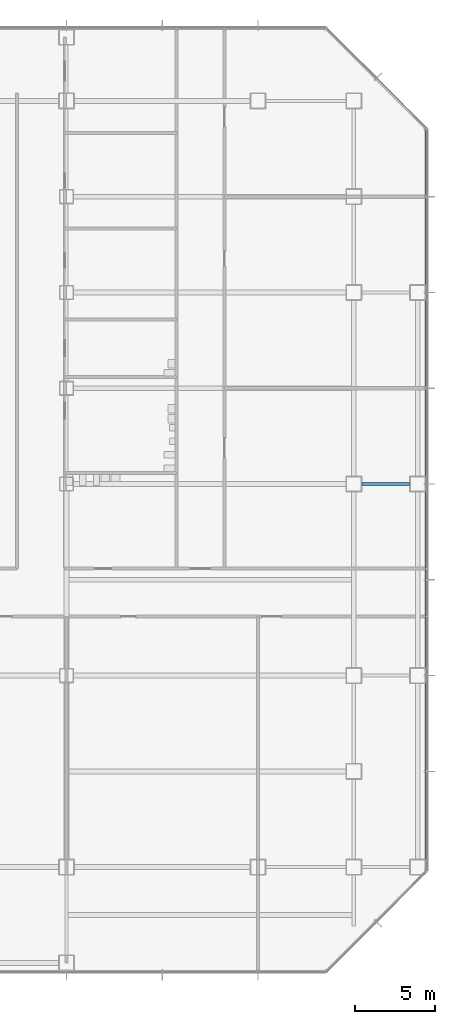
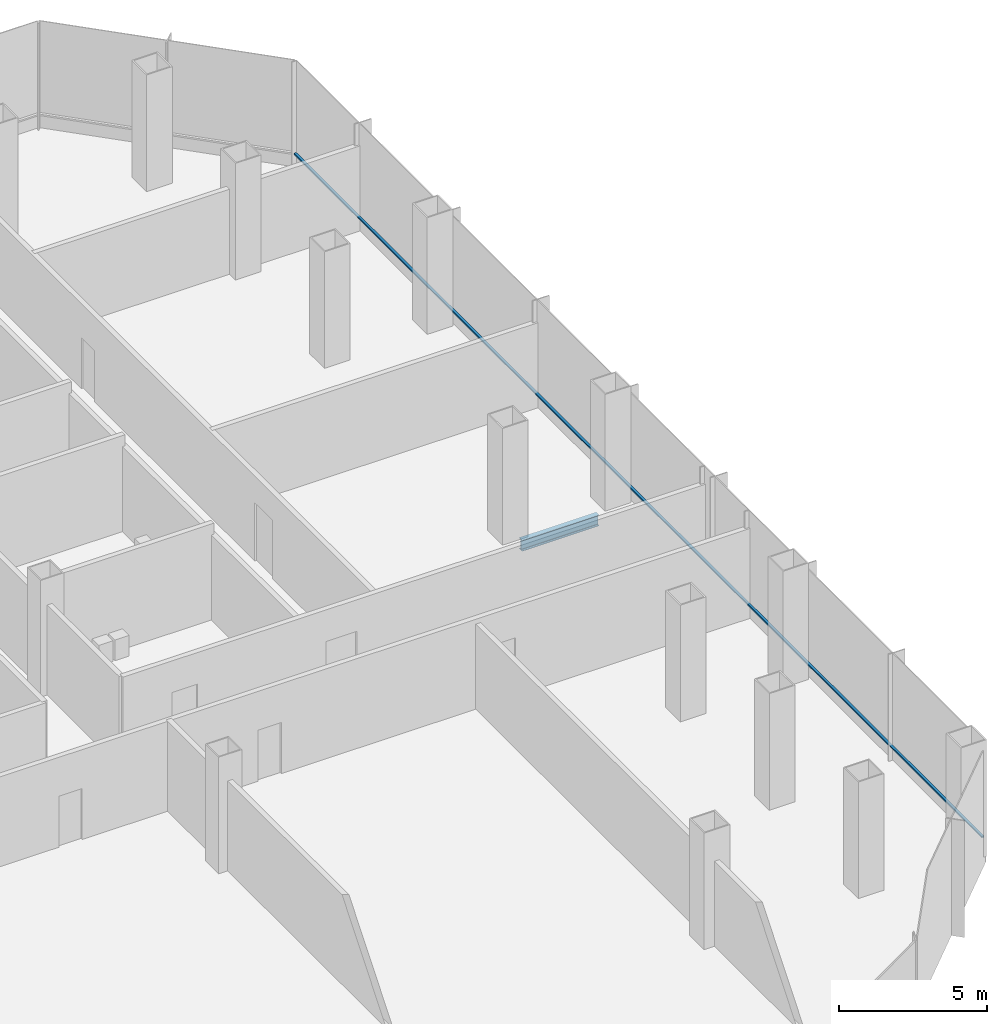
# One storey, part 18 of 33: 1 beam, 1 member, 1 element without a shape of its own.
"""IFC4 building model written with IfcOpenShell, lengths in metres."""

from ifc_helpers import new_model, si_unit, direction, frame, origin, origin_2d, place, context, subcontext, project, spatial, rectangle, i_section, extrude, material, material_profile, profile_set, type_object, element, aggregate, save


model = new_model("IFC4")

# Units and contexts
model_context = context("Model", 3, precision=1e-05, world=origin(), true_north=direction((0.0, 1.0)))
body_context = subcontext(model_context, "Body", "Model", "MODEL_VIEW")
ifc_project = project(units=[si_unit("LENGTHUNIT", "METRE"), si_unit("AREAUNIT", "SQUARE_METRE"), si_unit("VOLUMEUNIT", "CUBIC_METRE"), si_unit("PLANEANGLEUNIT", "RADIAN"), si_unit("MASSUNIT", "GRAM", prefix="KILO")], contexts=[model_context])

# Site, building, storey
site_placement = place(None, origin())
site = spatial("IfcSite", under=ifc_project, at=site_placement, CompositionType="ELEMENT")
building_placement = place(site_placement, origin())
building = spatial("IfcBuilding", under=site, at=building_placement, Name="Sorahane Residences", CompositionType="ELEMENT")
storey_placement = place(building_placement, frame((0.0, 0.0, 34.800048828125)))
storey = spatial("IfcBuildingStorey", under=building, at=storey_placement, Name="L05", CompositionType="ELEMENT", Elevation=34.800048828125)

# Curtain wall, member
ifc_material_1 = material(Name="Dark low-e glass and black anodised aluminium", Category="aluminium")
curtain_wall_type = type_object("IfcCurtainWallType", Name="Curtain wall CW-3 Podium unitised wall", PredefinedType="NOTDEFINED", material=ifc_material_1)
curtain_wall_placement = place(storey_placement, origin())
curtain_wall = element("IfcCurtainWall", 1, at=curtain_wall_placement, inside=storey, type_object=curtain_wall_type, Name="CW-3 curtain wall L05 E1", PredefinedType="NOTDEFINED")
ifc_material_2 = material(Name="Black anodised aluminium", Category="aluminium")
ifc_material_profile_1 = material_profile(ifc_material_2, rectangle(XDim=0.10009765625, YDim=0.06005859375, at=origin_2d()), Name="Curtain wall transom CW-3 black anodised aluminium 60x100")
ifc_profile_set_1 = profile_set([ifc_material_profile_1], Name="Black anodised aluminium")
member_type = type_object("IfcMemberType", Name="Curtain wall transom CW-3 black anodised aluminium 60x100", PredefinedType="USERDEFINED", material=ifc_profile_set_1)
member_placement = place(storey_placement, frame((70.530029296875, -0.198486328125, 0.599853515625), z_axis=(0.0, 1.0, 0.0), x_axis=(-1.0, 0.0, 0.0)))
member = element("IfcMember", 2, at=member_placement, type_object=member_type, Name="CW-3 transom L05 E1", ObjectType="TRANSOM", PredefinedType="USERDEFINED", context=body_context, shape_type="SweptSolid", body=[
    extrude(rectangle(XDim=0.10009765625, YDim=0.06005859375, at=origin_2d()), origin(), (0.0, 0.0, 1.0), 46.39697265625),
])
aggregate(curtain_wall, [member])

# Beam
ifc_material_3 = material(Name="Steel Q355B", Category="steel")
ifc_material_profile_2 = material_profile(ifc_material_3, i_section(OverallWidth=0.199951171875, OverallDepth=0.449951171875, WebThickness=0.009033203125, FlangeThickness=0.013916015625, FilletRadius=0.02001953125, at=origin_2d()), Name="HN 450x200x9x14")
ifc_profile_set_2 = profile_set([ifc_material_profile_2], Name="Steel Q355B")
beam_type = type_object("IfcBeamType", Name="Steel floor beam HN 450x200x9x14 Q355B", PredefinedType="BEAM", material=ifc_profile_set_2)
beam_placement = place(storey_placement, frame((66.5, 24.0, -0.625), z_axis=(1.0, 0.0, 0.0), x_axis=(0.0, 1.0, 0.0)))
element("IfcBeam", 3, at=beam_placement, inside=storey, type_object=beam_type, Name="Beam L05 015", PredefinedType="BEAM", context=body_context, shape_type="SweptSolid", body=[
    extrude(i_section(OverallWidth=0.199951171875, OverallDepth=0.449951171875, WebThickness=0.009033203125, FlangeThickness=0.013916015625, FilletRadius=0.02001953125, at=origin_2d()), origin(), (0.0, 0.0, 1.0), 3.0),
])

save(model, "model.ifc")
